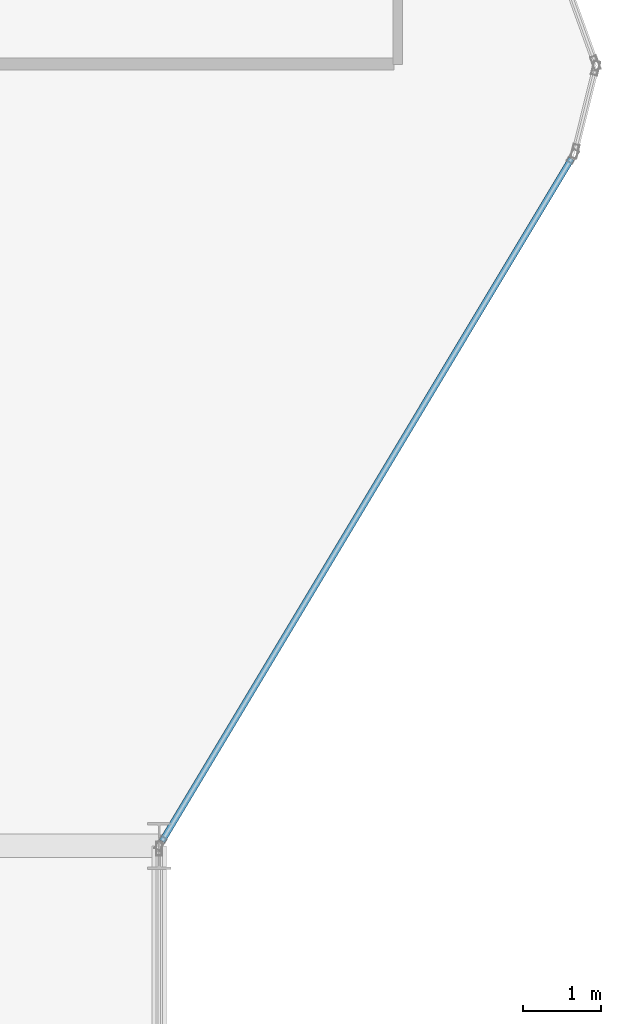
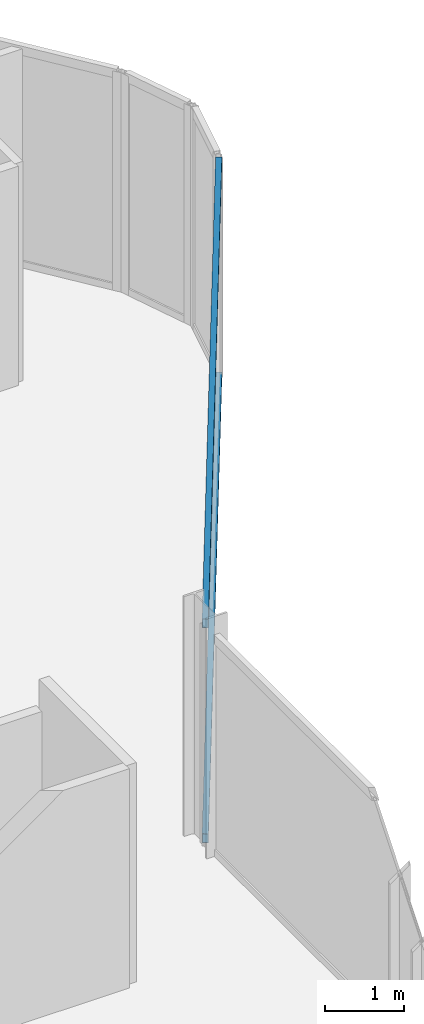
# One storey, part 13 of 30: 2 members, 1 element without a shape of its own.
"""IFC4 building model written with IfcOpenShell, lengths in metres."""

from ifc_helpers import new_model, si_unit, direction, frame, origin, origin_2d, place, context, subcontext, project, spatial, hollow_rectangle, extrude, material, layer, layer_set, material_profile, profile_set, type_object, element, aggregate, save


model = new_model("IFC4")

# Units and contexts
model_context = context("Model", 3, precision=1e-05, world=origin(), true_north=direction((0.0, 1.0)))
body_context = subcontext(model_context, "Body", "Model", "MODEL_VIEW")
ifc_project = project(units=[si_unit("LENGTHUNIT", "METRE"), si_unit("AREAUNIT", "SQUARE_METRE"), si_unit("VOLUMEUNIT", "CUBIC_METRE"), si_unit("PLANEANGLEUNIT", "RADIAN"), si_unit("MASSUNIT", "GRAM", prefix="KILO")], contexts=[model_context])

# Site, building, storey
site_placement = place(None, origin())
site = spatial("IfcSite", under=ifc_project, at=site_placement, CompositionType="ELEMENT")
building_placement = place(site_placement, origin())
building = spatial("IfcBuilding", under=site, at=building_placement, Name="Keshet Zoharim Tower", CompositionType="ELEMENT")
storey_placement = place(building_placement, frame((0.0, 0.0, 113.10009765625)))
storey = spatial("IfcBuildingStorey", under=building, at=storey_placement, Name="L27", CompositionType="ELEMENT", Elevation=113.10009765625)

# Curtain wall, members
ifc_material = material(Name="Aluminium 6063-T6", Category="aluminium")
ifc_layer = layer(ifc_material, 0.159912109375)
ifc_layer_set = layer_set([ifc_layer], Name="Aluminium 6063-T6")
curtain_wall_type = type_object("IfcCurtainWallType", Name="CW-SYS-03", PredefinedType="NOTDEFINED", material=ifc_layer_set)
curtain_wall_placement = place(storey_placement, origin())
curtain_wall = element("IfcCurtainWall", 1, at=curtain_wall_placement, inside=storey, type_object=curtain_wall_type, Name="L27 Unitised Curtain Wall 18", PredefinedType="NOTDEFINED")
ifc_material_profile = material_profile(ifc_material, hollow_rectangle(XDim=0.080078125, YDim=0.139892578125, WallThickness=0.00390625, at=origin_2d()), Name="TRN-80x140")
ifc_profile_set = profile_set([ifc_material_profile], Name="Aluminium 6063-T6")
member_type = type_object("IfcMemberType", Name="CWT-T14", PredefinedType="USERDEFINED", material=ifc_profile_set)
member_1_placement = place(storey_placement, frame((62.27197265625, 36.68701171875, 0.034912109375), z_axis=(-0.514467532827, -0.857509858641, 0.0), x_axis=(0.857509858641, -0.514467532827, 0.0)))
member_1 = element("IfcMember", 2, at=member_1_placement, type_object=member_type, Name="CW-03 transom 1.1", ObjectType="TRANSOM", PredefinedType="USERDEFINED", context=body_context, shape_type="SweptSolid", body=[
    extrude(hollow_rectangle(XDim=0.080078125, YDim=0.139892578125, WallThickness=0.00390625, at=origin_2d()), origin(), (0.0, 0.0, 1.0), 10.17724609375),
])
member_2_placement = place(storey_placement, frame((62.27197265625, 36.68701171875, 3.349853515625), z_axis=(-0.514467532827, -0.857509858641, 0.0), x_axis=(0.857509858641, -0.514467532827, 0.0)))
member_2 = element("IfcMember", 3, at=member_2_placement, type_object=member_type, Name="CW-03 transom 1.2", ObjectType="TRANSOM", PredefinedType="USERDEFINED", context=body_context, shape_type="SweptSolid", body=[
    extrude(hollow_rectangle(XDim=0.080078125, YDim=0.139892578125, WallThickness=0.00390625, at=origin_2d()), origin(), (0.0, 0.0, 1.0), 10.17724609375),
])
aggregate(curtain_wall, [member_1, member_2])

save(model, "model.ifc")
